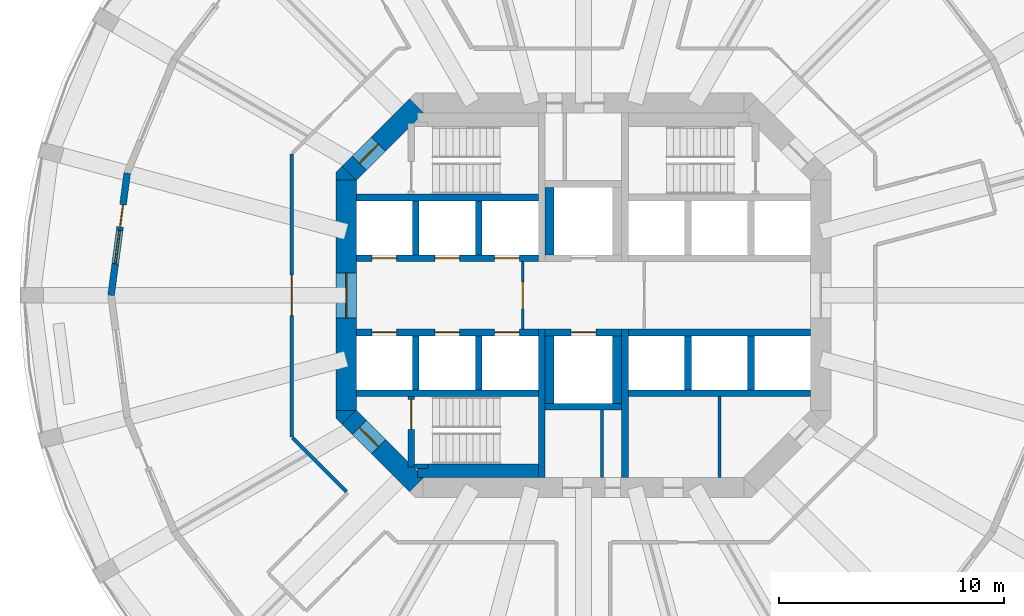
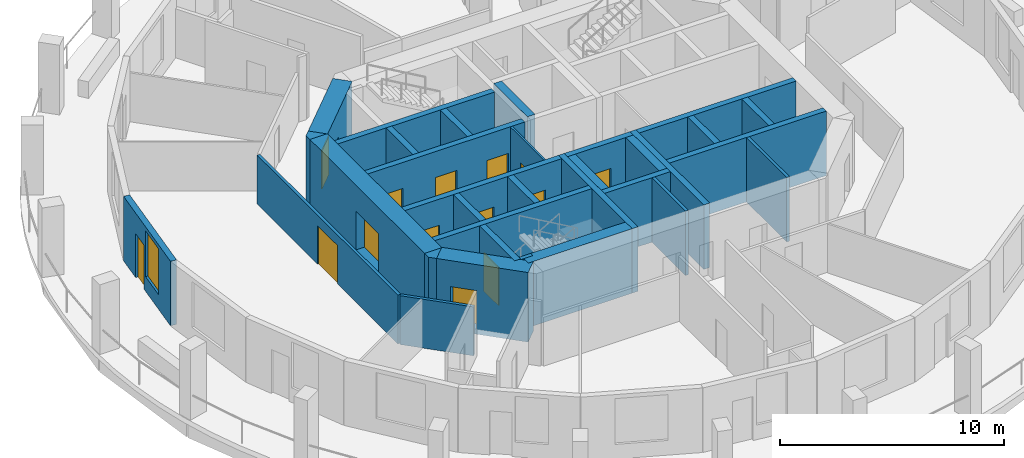
# One storey, part 3 of 8: 33 walls, 14 doors, 1 window, 15 openings.
"""IFC4 building model written with IfcOpenShell, lengths in metres."""

import ifcopenshell
import ifcopenshell.guid

model = None  # the IFC model being written
_history = None  # IfcOwnerHistory: only IFC2X3 demands one
_inside = {}  # id of a spatial element -> (the spatial element, [elements in it])
_under = {}  # id of a project, library or spatial element -> (it, [spatial elements below it])
_declared = {}  # id of a project -> (the project, [libraries it declares])
_typed = {}  # id of a type object -> (the type object, [elements of that type])
_made_of = {}  # id of a material, layer set ... -> (it, [elements and type objects made of it])


def new_model(schema):
    """Start an empty IFC model of exactly this schema.

    Asked for "IFC4X3", IfcOpenShell would pick the latest addendum, in which some entities
    have other attributes; the version numbers below select the first issue.
    IFC2X3 requires an IfcOwnerHistory on every rooted entity: one is made here for all.
    """
    global model, _history
    if schema == "IFC4X3":
        model = ifcopenshell.file(schema_version=(4, 3, 0, 0))
    else:
        model = ifcopenshell.file(schema=schema)
    _inside.clear()
    _under.clear()
    _declared.clear()
    _typed.clear()
    _made_of.clear()
    _history = None
    if model.schema == "IFC2X3":
        org = make("IfcOrganization", Name="unknown")
        user = make(
            "IfcPersonAndOrganization",
            ThePerson=make("IfcPerson", FamilyName="unknown"),
            TheOrganization=org,
        )
        app = make(
            "IfcApplication",
            ApplicationDeveloper=org,
            Version="unknown",
            ApplicationFullName="unknown",
            ApplicationIdentifier="unknown",
        )
        _history = make(
            "IfcOwnerHistory",
            OwningUser=user,
            OwningApplication=app,
            ChangeAction="ADDED",
            CreationDate=0,
        )
    return model


def make(cls, **values):
    """One entity of the class cls with the attributes given. An attribute that is None is left unset."""
    return model.create_entity(
        cls, **{name: value for name, value in values.items() if value is not None}
    )


def rooted(cls, **values):
    """An entity with a GlobalId (a new one), such as an element, a storey or a relation."""
    return make(cls, GlobalId=ifcopenshell.guid.new(), OwnerHistory=_history, **values)


def si_unit(unit_type, name, prefix=None):
    """IfcSIUnit, for example si_unit("LENGTHUNIT", "METRE", prefix="MILLI")."""
    return make("IfcSIUnit", UnitType=unit_type, Prefix=prefix, Name=name)


def assignment(units):
    """IfcUnitAssignment: the units of a project."""
    return None if units is None else make("IfcUnitAssignment", Units=units)


def point(xyz):
    """IfcCartesianPoint."""
    return None if xyz is None else make("IfcCartesianPoint", Coordinates=xyz)


def direction(xyz):
    """IfcDirection."""
    return None if xyz is None else make("IfcDirection", DirectionRatios=xyz)


def frame(location, z_axis=None, x_axis=None):
    """IfcAxis2Placement3D, a coordinate frame: its origin and axes. An axis left out is left unset."""
    return make(
        "IfcAxis2Placement3D",
        Location=point(location),
        Axis=direction(z_axis),
        RefDirection=direction(x_axis),
    )


def frame_2d(location, x_axis=None):
    """IfcAxis2Placement2D, a coordinate frame in the plane: its origin and x axis."""
    return make(
        "IfcAxis2Placement2D", Location=point(location), RefDirection=direction(x_axis)
    )


def origin():
    """The frame at (0, 0, 0) with its axes left unset."""
    return frame((0.0, 0.0, 0.0))


def place(relative_to, where):
    """IfcLocalPlacement: puts the frame where relative to a parent placement (None: the world)."""
    return make(
        "IfcLocalPlacement", PlacementRelTo=relative_to, RelativePlacement=where
    )


def context(
    kind, dimensions, precision=None, world=None, true_north=None, identifier=None
):
    """IfcGeometricRepresentationContext, for example the 3D "Model" context."""
    return make(
        "IfcGeometricRepresentationContext",
        ContextIdentifier=identifier,
        ContextType=kind,
        CoordinateSpaceDimension=dimensions,
        Precision=precision,
        WorldCoordinateSystem=world,
        TrueNorth=true_north,
    )


def subcontext(parent, identifier, kind, view, scale=None):
    """IfcGeometricRepresentationSubContext, for example "Body" below "Model"."""
    return make(
        "IfcGeometricRepresentationSubContext",
        ContextIdentifier=identifier,
        ContextType=kind,
        ParentContext=parent,
        TargetScale=scale,
        TargetView=view,
    )


def project(units=None, contexts=None):
    """IfcProject with its units and contexts."""
    return rooted(
        "IfcProject",
        Name="project",
        RepresentationContexts=contexts,
        UnitsInContext=assignment(units),
    )


def spatial(cls, under=None, at=None, **own):
    """A site, building, storey or space (cls), placed at a placement, below another one or the project."""
    s = rooted(cls, ObjectPlacement=at, **own)
    if under is not None:
        _under.setdefault(under.id(), (under, []))[1].append(s)
    return s


def polyline(points):
    """IfcPolyline through the points."""
    return make("IfcPolyline", Points=[point(p) for p in points])


def profile(cls, at=None, kind="AREA", **sizes):
    """A parametric profile (cls). Its sizes go by their IFC names, for example OverallWidth=200.0."""
    return make(cls, ProfileType=kind, Position=at, **sizes)


def rectangle(**sizes):
    """IfcRectangleProfileDef."""
    return profile("IfcRectangleProfileDef", **sizes)


def outline(outer, holes=None, kind="AREA"):
    """IfcArbitraryClosedProfileDef: a profile drawn as a closed curve; with holes, ...WithVoids."""
    if holes is None:
        return make("IfcArbitraryClosedProfileDef", ProfileType=kind, OuterCurve=outer)
    return make(
        "IfcArbitraryProfileDefWithVoids",
        ProfileType=kind,
        OuterCurve=outer,
        InnerCurves=holes,
    )


def extrude(swept, where, along, depth):
    """IfcExtrudedAreaSolid: the profile swept, set in the frame where, extruded along a direction by depth."""
    return make(
        "IfcExtrudedAreaSolid",
        SweptArea=swept,
        Position=where,
        ExtrudedDirection=direction(along),
        Depth=depth,
    )


def shape(context_of_items, identifier, shape_type, items):
    """IfcShapeRepresentation: the items that make up one representation, for example the "Body"."""
    return make(
        "IfcShapeRepresentation",
        ContextOfItems=context_of_items,
        RepresentationIdentifier=identifier,
        RepresentationType=shape_type,
        Items=items,
    )


def material(Name=None, Category=None):
    """IfcMaterial."""
    return make("IfcMaterial", Name=Name, Category=Category)


def layer(
    of_material, thickness, ventilated=None, Name=None, Category=None, Priority=None
):
    """IfcMaterialLayer: one layer of a wall or slab, of a material (None: an air gap)."""
    return make(
        "IfcMaterialLayer",
        Material=of_material,
        LayerThickness=thickness,
        IsVentilated=ventilated,
        Name=Name,
        Category=Category,
        Priority=Priority,
    )


def layer_set(layers, Name=None):
    """IfcMaterialLayerSet."""
    return make("IfcMaterialLayerSet", MaterialLayers=layers, LayerSetName=Name)


def made_of(thing, what):
    """Note that an element or type object is made of a material, layer set ...; save() writes the relation."""
    if what is not None:
        _made_of.setdefault(what.id(), (what, []))[1].append(thing)
    return thing


def type_object(cls, material=None, **own):
    """A type object (cls), such as IfcWallType, which elements share."""
    return made_of(rooted(cls, **own), material)


def element(
    cls,
    number,
    at=None,
    inside=None,
    cuts=None,
    type_object=None,
    material=None,
    context=None,
    identifier="Body",
    shape_type=None,
    held_by="IfcProductDefinitionShape",
    body=None,
    shapes=None,
    **own,
):
    """One element of the class cls, such as IfcWall. Its Tag is "e" and its number.

    at: its placement. inside: the storey or other place that contains it. cuts: it is an
    opening in that element (IfcRelVoidsElement). A single representation is given by context,
    identifier, shape_type and body (its items); several are given by shapes. held_by: the class
    of the entity that holds the representations. save() writes the other relations.
    """
    e = rooted(cls, Tag="e%d" % number, ObjectPlacement=at, **own)
    if body is not None:
        shapes = [shape(context, identifier, shape_type, body)]
    if shapes is not None:
        e.Representation = make(held_by, Representations=shapes)
    if inside is not None:
        _inside.setdefault(inside.id(), (inside, []))[1].append(e)
    if cuts is not None:
        rooted(
            "IfcRelVoidsElement", RelatingBuildingElement=cuts, RelatedOpeningElement=e
        )
    if type_object is not None:
        _typed.setdefault(type_object.id(), (type_object, []))[1].append(e)
    return made_of(e, material)


def fill(opening, filler):
    """IfcRelFillsElement: the door or window that sits in an opening."""
    return rooted(
        "IfcRelFillsElement",
        RelatingOpeningElement=opening,
        RelatedBuildingElement=filler,
    )


def aggregate(whole, parts):
    """IfcRelAggregates: a whole, such as a stair, and the parts it consists of."""
    return rooted("IfcRelAggregates", RelatingObject=whole, RelatedObjects=parts)


def save(model, path):
    """Write the relations noted so far, then the file.

    IfcRelAggregates (storeys below a building ...), IfcRelContainedInSpatialStructure (elements
    in a storey), IfcRelDefinesByType, IfcRelAssociatesMaterial and IfcRelDeclares: one each for
    every whole, place, type object, material and project.
    """
    for whole, parts in _under.values():
        aggregate(whole, parts)
    for where, things in _inside.values():
        rooted(
            "IfcRelContainedInSpatialStructure",
            RelatedElements=things,
            RelatingStructure=where,
        )
    for kind, things in _typed.values():
        rooted("IfcRelDefinesByType", RelatedObjects=things, RelatingType=kind)
    for what, things in _made_of.values():
        rooted("IfcRelAssociatesMaterial", RelatedObjects=things, RelatingMaterial=what)
    for by, libraries in _declared.values():
        rooted("IfcRelDeclares", RelatingContext=by, RelatedDefinitions=libraries)
    model.write(path)


model = new_model("IFC4")

# Units and contexts
model_context = context("Model", 3, precision=1e-05, world=origin(), true_north=direction((0.0, 1.0)))
body_context = subcontext(model_context, "Body", "Model", "MODEL_VIEW")
ifc_project = project(units=[si_unit("LENGTHUNIT", "METRE"), si_unit("AREAUNIT", "SQUARE_METRE"), si_unit("VOLUMEUNIT", "CUBIC_METRE"), si_unit("PLANEANGLEUNIT", "RADIAN"), si_unit("MASSUNIT", "GRAM", prefix="KILO")], contexts=[model_context])

# Site, building, storey
site_placement = place(None, origin())
site = spatial("IfcSite", under=ifc_project, at=site_placement, CompositionType="ELEMENT")
building_placement = place(site_placement, origin())
building = spatial("IfcBuilding", under=site, at=building_placement, Name="Torre Triforio", CompositionType="ELEMENT")
storey_placement = place(building_placement, frame((0.0, 0.0, 135.199951171875)))
storey = spatial("IfcBuildingStorey", under=building, at=storey_placement, Name="L30", CompositionType="ELEMENT", Elevation=135.199951171875)

# Walls
ifc_material_1 = material(Name="Concrete C60", Category="concrete")
ifc_layer_1 = layer(ifc_material_1, 0.300048828125)
ifc_layer_set_1 = layer_set([ifc_layer_1], Name="Concrete C60")
wall_type_1 = type_object("IfcWallType", Name="Core wall 300 mm C60 EI 120", PredefinedType="SHEAR", material=ifc_layer_set_1)
for number, where, z_axis, x_axis, name in (
    (1, (-1.85009765625, -8.10009765625, 0.0), (0.0, 0.0, 1.0), (0.0, 1.0, 0.0), "Core wall"),
    (2, (1.85009765625, -8.10009765625, 0.0), (0.0, 0.0, 1.0), (0.0, 1.0, 0.0), "Core wall"),
):
    element("IfcWall", number, at=place(storey_placement, frame(where, z_axis=z_axis, x_axis=x_axis)), inside=storey, type_object=wall_type_1, Name=name, PredefinedType="SHEAR", context=body_context, shape_type="SweptSolid", body=[
        extrude(rectangle(XDim=6.60009765625, YDim=0.300048828125, at=frame_2d((3.300048828125, 0.0))), origin(), (0.0, 0.0, 1.0), 3.52001953125),
    ])

# Wall, opening, door
ifc_layer_2 = layer(ifc_material_1, 0.89990234375)
ifc_layer_set_2 = layer_set([ifc_layer_2], Name="Concrete C60")
wall_type_2 = type_object("IfcWallType", Name="Core wall 900 mm C60 EI 120", PredefinedType="SHEAR", material=ifc_layer_set_2)
wall_1_placement = place(storey_placement, frame((-10.550048828125, -5.1298828125, -0.280029296875), z_axis=(0.0, 0.0, 1.0), x_axis=(0.0, 1.0, 0.0)))
wall_1 = element("IfcWall", 3, at=wall_1_placement, inside=storey, type_object=wall_type_2, Name="Core wall", PredefinedType="SHEAR", context=body_context, shape_type="SweptSolid", body=[
    extrude(rectangle(XDim=10.259765625, YDim=0.89990234375, at=frame_2d((5.1298828125, 0.0))), origin(), (0.0, 0.0, 1.0), 3.800048828125),
])
opening_1_placement = place(wall_1_placement, frame((4.1298828125, 0.0, 0.280029296875)))
opening_1 = element("IfcOpeningElement", 4, at=opening_1_placement, cuts=wall_1, Name="Opening W-RING", PredefinedType="OPENING", context=body_context, shape_type="SweptSolid", body=[
    extrude(rectangle(XDim=2.0, YDim=2.10009765625, at=frame_2d((1.0, 1.050048828125))), frame((0.0, 0.4599609375, 0.0), z_axis=(0.0, -1.0, 0.0), x_axis=(1.0, 0.0, 0.0)), (0.0, 0.0, 1.0), 0.919921875),
])
ifc_material_2 = material(Name="Hollow metal fire door leaf")
door_type_1 = type_object("IfcDoorType", Name="Lobby door 2000 x 2100 EI 60", OperationType="DOUBLE_DOOR_SINGLE_SWING", PredefinedType="DOOR", material=ifc_material_2)
door_1_placement = place(opening_1_placement, origin())
door_1 = element("IfcDoor", 5, at=door_1_placement, inside=storey, type_object=door_type_1, Name="Core door W-RING", OperationType="DOUBLE_DOOR_SINGLE_SWING", OverallHeight=2.10009765625, OverallWidth=2.0, PredefinedType="DOOR", context=body_context, shape_type="SweptSolid", body=[
    extrude(rectangle(XDim=2.0, YDim=2.10009765625, at=frame_2d((1.0, 1.050048828125))), frame((0.0, 0.02490234375, 0.0), z_axis=(0.0, -1.0, 0.0), x_axis=(1.0, 0.0, 0.0)), (0.0, 0.0, 1.0), 0.050048828125),
])
fill(opening_1, door_1)

wall_2_placement = place(storey_placement, frame((-10.418212890625, 5.418212890625, -0.280029296875), z_axis=(0.0, 0.0, 1.0), x_axis=(0.707106781187, 0.707106781187, 0.0)))
wall_2 = element("IfcWall", 6, at=wall_2_placement, inside=storey, type_object=wall_type_2, Name="Core wall", PredefinedType="SHEAR", context=body_context, shape_type="SweptSolid", body=[
    extrude(rectangle(XDim=4.24267578125, YDim=0.89990234375, at=frame_2d((2.121337890625, 0.0))), origin(), (0.0, 0.0, 1.0), 3.800048828125),
])
opening_2_placement = place(wall_2_placement, frame((0.64990234375, 0.0, 0.280029296875)))
opening_2 = element("IfcOpeningElement", 7, at=opening_2_placement, cuts=wall_2, Name="Opening ST1-EXIT", PredefinedType="OPENING", context=body_context, shape_type="SweptSolid", body=[
    extrude(rectangle(XDim=1.199951171875, YDim=2.10009765625, at=frame_2d((0.60009765625, 1.050048828125))), frame((0.0, 0.4599609375, 0.0), z_axis=(0.0, -1.0, 0.0), x_axis=(1.0, 0.0, 0.0)), (0.0, 0.0, 1.0), 0.919921875),
])
door_type_2 = type_object("IfcDoorType", Name="Stair lobby door 1200 x 2100 EI 60", OperationType="NOTDEFINED", PredefinedType="DOOR", material=ifc_material_2)
door_2_placement = place(opening_2_placement, origin())
door_2 = element("IfcDoor", 8, at=door_2_placement, inside=storey, type_object=door_type_2, Name="Core door ST1-EXIT", OperationType="SINGLE_SWING_RIGHT", OverallHeight=2.10009765625, OverallWidth=1.199951171875, PredefinedType="DOOR", context=body_context, shape_type="SweptSolid", body=[
    extrude(rectangle(XDim=1.199951171875, YDim=2.10009765625, at=frame_2d((0.60009765625, 1.050048828125))), frame((0.0, 0.02490234375, 0.0), z_axis=(0.0, -1.0, 0.0), x_axis=(1.0, 0.0, 0.0)), (0.0, 0.0, 1.0), 0.050048828125),
])
fill(opening_2, door_2)

wall_3_placement = place(storey_placement, frame((-7.418212890625, -8.418212890625, -0.280029296875), z_axis=(0.0, 0.0, 1.0), x_axis=(-0.707106781187, 0.707106781187, 0.0)))
wall_3 = element("IfcWall", 9, at=wall_3_placement, inside=storey, type_object=wall_type_2, Name="Core wall", PredefinedType="SHEAR", context=body_context, shape_type="SweptSolid", body=[
    extrude(rectangle(XDim=4.24267578125, YDim=0.89990234375, at=frame_2d((2.121337890625, 0.0))), origin(), (0.0, 0.0, 1.0), 3.800048828125),
])
opening_3_placement = place(wall_3_placement, frame((2.392578125, 0.0, 0.280029296875)))
opening_3 = element("IfcOpeningElement", 10, at=opening_3_placement, cuts=wall_3, Name="Opening ST3-EXIT", PredefinedType="OPENING", context=body_context, shape_type="SweptSolid", body=[
    extrude(rectangle(XDim=1.199951171875, YDim=2.10009765625, at=frame_2d((0.60009765625, 1.050048828125))), frame((0.0, 0.4599609375, 0.0), z_axis=(0.0, -1.0, 0.0), x_axis=(1.0, 0.0, 0.0)), (0.0, 0.0, 1.0), 0.919921875),
])
door_3_placement = place(opening_3_placement, origin())
door_3 = element("IfcDoor", 11, at=door_3_placement, inside=storey, type_object=door_type_2, Name="Core door ST3-EXIT", OperationType="SINGLE_SWING_RIGHT", OverallHeight=2.10009765625, OverallWidth=1.199951171875, PredefinedType="DOOR", context=body_context, shape_type="SweptSolid", body=[
    extrude(rectangle(XDim=1.199951171875, YDim=2.10009765625, at=frame_2d((0.60009765625, 1.050048828125))), frame((0.0, 0.02490234375, 0.0), z_axis=(0.0, -1.0, 0.0), x_axis=(1.0, 0.0, 0.0)), (0.0, 0.0, 1.0), 0.050048828125),
])
fill(opening_3, door_3)

# Walls
wall_4_placement = place(storey_placement, frame((0.0, 0.0, -0.280029296875)))
element("IfcWall", 12, at=wall_4_placement, inside=storey, type_object=wall_type_2, Name="Core wall", PredefinedType="SHEAR", context=body_context, shape_type="SweptSolid", body=[
    extrude(outline(polyline([(-11.0, -5.472900390625), (-11.0, -5.1298828125), (-10.1298828125, -5.1298828125), (-10.736328125, -5.736328125), (-11.0, -5.472900390625)])), origin(), (0.0, 0.0, 1.0), 3.800048828125),
])
wall_5_placement = place(storey_placement, frame((0.0, 0.0, -0.280029296875)))
element("IfcWall", 13, at=wall_5_placement, inside=storey, type_object=wall_type_2, Name="Core wall", PredefinedType="SHEAR", context=body_context, shape_type="SweptSolid", body=[
    extrude(outline(polyline([(-10.736328125, 5.736328125), (-10.1298828125, 5.1298828125), (-11.0, 5.1298828125), (-11.0, 5.472900390625), (-10.736328125, 5.736328125)])), origin(), (0.0, 0.0, 1.0), 3.800048828125),
])
ifc_material_3 = material(Name="Plasterboard on metal studs")
ifc_layer_3 = layer(ifc_material_3, 0.14990234375)
ifc_layer_set_3 = layer_set([ifc_layer_3], Name="Plasterboard on metal studs")
wall_type_3 = type_object("IfcWallType", Name="Corridor and tenancy wall 150 mm EI 60", PredefinedType="PARTITIONING", material=ifc_layer_set_3)
wall_6_placement = place(storey_placement, frame((-10.534423828125, -8.7314453125, 0.0), z_axis=(0.0, 0.0, 1.0), x_axis=(-0.707106781187, 0.707106781187, 0.0)))
element("IfcWall", 14, at=wall_6_placement, inside=storey, type_object=wall_type_3, Name="Partition 3", PredefinedType="PARTITIONING", context=body_context, shape_type="SweptSolid", body=[
    extrude(rectangle(XDim=3.399169921875, YDim=0.14990234375, at=frame_2d((1.69970703125, 0.0))), origin(), (0.0, 0.0, 1.0), 2.670166015625),
])

# Wall, opening, door
wall_7_placement = place(storey_placement, frame((-12.97509765625, -6.291015625, 0.0), z_axis=(0.0, 0.0, 1.0), x_axis=(0.0, 1.0, 0.0)))
wall_7 = element("IfcWall", 15, at=wall_7_placement, inside=storey, type_object=wall_type_3, Name="Partition 4", PredefinedType="PARTITIONING", context=body_context, shape_type="SweptSolid", body=[
    extrude(rectangle(XDim=12.58203125, YDim=0.14990234375, at=frame_2d((6.291015625, 0.0))), origin(), (0.0, 0.0, 1.0), 2.670166015625),
])
opening_4_placement = place(wall_7_placement, frame((5.390869140625, 0.0, 0.0)))
opening_4 = element("IfcOpeningElement", 16, at=opening_4_placement, cuts=wall_7, Name="Opening D2-01", PredefinedType="OPENING", context=body_context, shape_type="SweptSolid", body=[
    extrude(rectangle(XDim=1.800048828125, YDim=2.10009765625, at=frame_2d((0.89990234375, 1.050048828125))), frame((0.0, 0.0849609375, 0.0), z_axis=(0.0, -1.0, 0.0), x_axis=(1.0, 0.0, 0.0)), (0.0, 0.0, 1.0), 0.169921875),
])
ifc_material_4 = material(Name="Timber", Category="wood")
door_type_3 = type_object("IfcDoorType", Name="Door 1800 x 2100 double leaf EI 30", OperationType="DOUBLE_DOOR_SINGLE_SWING", PredefinedType="DOOR", material=ifc_material_4)
door_4_placement = place(opening_4_placement, origin())
door_4 = element("IfcDoor", 17, at=door_4_placement, inside=storey, type_object=door_type_3, Name="Door D2-01", OperationType="DOUBLE_DOOR_SINGLE_SWING", OverallHeight=2.10009765625, OverallWidth=1.800048828125, PredefinedType="DOOR", context=body_context, shape_type="SweptSolid", body=[
    extrude(rectangle(XDim=1.800048828125, YDim=2.10009765625, at=frame_2d((0.89990234375, 1.050048828125))), frame((0.0, 0.02490234375, 0.0), z_axis=(0.0, -1.0, 0.0), x_axis=(1.0, 0.0, 0.0)), (0.0, 0.0, 1.0), 0.050048828125),
])
fill(opening_4, door_4)

ifc_material_5 = material(Name="Block and board partition")
ifc_layer_4 = layer(ifc_material_5, 0.10009765625)
ifc_layer_set_4 = layer_set([ifc_layer_4], Name="Block and board partition")
wall_type_4 = type_object("IfcWallType", Name="Partition 100 mm EI 120", PredefinedType="PARTITIONING", material=ifc_layer_set_4)
wall_8_placement = place(storey_placement, frame((-2.699951171875, -1.5, 0.0), z_axis=(0.0, 0.0, 1.0), x_axis=(0.0, 1.0, 0.0)))
wall_8 = element("IfcWall", 18, at=wall_8_placement, inside=storey, type_object=wall_type_4, Name="Partition", PredefinedType="PARTITIONING", context=body_context, shape_type="SweptSolid", body=[
    extrude(rectangle(XDim=3.0, YDim=0.10009765625, at=frame_2d((1.5, 0.0))), origin(), (0.0, 0.0, 1.0), 3.52001953125),
])
opening_5_placement = place(wall_8_placement, frame((0.89990234375, 0.0, 0.0)))
opening_5 = element("IfcOpeningElement", 19, at=opening_5_placement, cuts=wall_8, Name="Opening FF-W", PredefinedType="OPENING", context=body_context, shape_type="SweptSolid", body=[
    extrude(rectangle(XDim=1.199951171875, YDim=2.10009765625, at=frame_2d((0.60009765625, 1.050048828125))), frame((0.0, 0.06005859375, 0.0), z_axis=(0.0, -1.0, 0.0), x_axis=(1.0, 0.0, 0.0)), (0.0, 0.0, 1.0), 0.1201171875),
])
door_type_4 = type_object("IfcDoorType", Name="Fire-fighting lobby door 1200 x 2100 EI 60", OperationType="NOTDEFINED", PredefinedType="DOOR", material=ifc_material_2)
door_5_placement = place(opening_5_placement, origin())
door_5 = element("IfcDoor", 20, at=door_5_placement, inside=storey, type_object=door_type_4, Name="Core door FF-W", OperationType="SINGLE_SWING_RIGHT", OverallHeight=2.10009765625, OverallWidth=1.199951171875, PredefinedType="DOOR", context=body_context, shape_type="SweptSolid", body=[
    extrude(rectangle(XDim=1.199951171875, YDim=2.10009765625, at=frame_2d((0.60009765625, 1.050048828125))), frame((0.0, 0.02490234375, 0.0), z_axis=(0.0, -1.0, 0.0), x_axis=(1.0, 0.0, 0.0)), (0.0, 0.0, 1.0), 0.050048828125),
])
fill(opening_5, door_5)

# Walls
ifc_layer_5 = layer(ifc_material_5, 0.14990234375)
ifc_layer_set_5 = layer_set([ifc_layer_5], Name="Block and board partition")
wall_type_5 = type_object("IfcWallType", Name="Partition 150 mm", PredefinedType="PARTITIONING", material=ifc_layer_set_5)
wall_9_placement = place(storey_placement, frame((6.050048828125, -8.10009765625, 0.0), z_axis=(0.0, 0.0, 1.0), x_axis=(0.0, 1.0, 0.0)))
element("IfcWall", 21, at=wall_9_placement, inside=storey, type_object=wall_type_5, Name="Partition", PredefinedType="PARTITIONING", context=body_context, shape_type="SweptSolid", body=[
    extrude(rectangle(XDim=3.60009765625, YDim=0.14990234375, at=frame_2d((1.800048828125, 0.0))), origin(), (0.0, 0.0, 1.0), 3.52001953125),
])
ifc_layer_6 = layer(ifc_material_5, 0.14990234375)
ifc_layer_set_6 = layer_set([ifc_layer_6], Name="Block and board partition")
wall_type_6 = type_object("IfcWallType", Name="Partition 150 mm EI 120", PredefinedType="PARTITIONING", material=ifc_layer_set_6)
wall_10_placement = place(storey_placement, frame((0.824951171875, -8.10009765625, 0.0), z_axis=(0.0, 0.0, 1.0), x_axis=(0.0, 1.0, 0.0)))
element("IfcWall", 22, at=wall_10_placement, inside=storey, type_object=wall_type_6, Name="Partition", PredefinedType="PARTITIONING", context=body_context, shape_type="SweptSolid", body=[
    extrude(rectangle(XDim=3.0, YDim=0.14990234375, at=frame_2d((1.5, 0.0))), origin(), (0.0, 0.0, 1.0), 3.52001953125),
])
ifc_layer_7 = layer(ifc_material_1, 0.300048828125)
ifc_layer_set_7 = layer_set([ifc_layer_7], Name="Concrete C60")
wall_type_7 = type_object("IfcWallType", Name="Shaft wall 300 mm C60 EI 120", PredefinedType="SOLIDWALL", material=ifc_layer_set_7)
for number, where, z_axis, x_axis, name in (
    (23, (-10.10009765625, 4.35009765625, 0.0), (0.0, 0.0, 1.0), (1.0, 0.0, 0.0), "Shaft wall"),
    (24, (-10.10009765625, -4.35009765625, 0.0), (0.0, 0.0, 1.0), (1.0, 0.0, 0.0), "Shaft wall"),
    (25, (2.0, -4.35009765625, 0.0), (0.0, 0.0, 1.0), (1.0, 0.0, 0.0), "Shaft wall"),
):
    element("IfcWall", number, at=place(storey_placement, frame(where, z_axis=z_axis, x_axis=x_axis)), inside=storey, type_object=wall_type_7, Name=name, PredefinedType="SOLIDWALL", context=body_context, shape_type="SweptSolid", body=[
        extrude(rectangle(XDim=8.10009765625, YDim=0.300048828125, at=frame_2d((4.050048828125, 0.0))), origin(), (0.0, 0.0, 1.0), 3.52001953125),
    ])

# Wall, openings, doors
wall_11_placement = place(storey_placement, frame((-10.10009765625, 1.64990234375, 0.0), z_axis=(0.0, 0.0, 1.0), x_axis=(1.0, 0.0, 0.0)))
wall_11 = element("IfcWall", 26, at=wall_11_placement, inside=storey, type_object=wall_type_7, Name="Shaft wall", PredefinedType="SOLIDWALL", context=body_context, shape_type="SweptSolid", body=[
    extrude(rectangle(XDim=8.10009765625, YDim=0.300048828125, at=frame_2d((4.050048828125, 0.0))), origin(), (0.0, 0.0, 1.0), 3.52001953125),
])
opening_6_placement = place(wall_11_placement, frame((0.699951171875, 0.0, 0.0)))
opening_6 = element("IfcOpeningElement", 27, at=opening_6_placement, cuts=wall_11, Name="Opening LD", PredefinedType="OPENING", context=body_context, shape_type="SweptSolid", body=[
    extrude(rectangle(XDim=1.10009765625, YDim=2.10009765625, at=frame_2d((0.550048828125, 1.050048828125))), frame((0.0, 0.159912109375, 0.0), z_axis=(0.0, -1.0, 0.0), x_axis=(1.0, 0.0, 0.0)), (0.0, 0.0, 1.0), 0.320068359375),
])
opening_7_placement = place(wall_11_placement, frame((3.5, 0.0, 0.0)))
opening_7 = element("IfcOpeningElement", 28, at=opening_7_placement, cuts=wall_11, Name="Opening LD", PredefinedType="OPENING", context=body_context, shape_type="SweptSolid", body=[
    extrude(rectangle(XDim=1.10009765625, YDim=2.10009765625, at=frame_2d((0.550048828125, 1.050048828125))), frame((0.0, 0.159912109375, 0.0), z_axis=(0.0, -1.0, 0.0), x_axis=(1.0, 0.0, 0.0)), (0.0, 0.0, 1.0), 0.320068359375),
])
opening_8_placement = place(wall_11_placement, frame((6.14990234375, 0.0, 0.0)))
opening_8 = element("IfcOpeningElement", 29, at=opening_8_placement, cuts=wall_11, Name="Opening LD", PredefinedType="OPENING", context=body_context, shape_type="SweptSolid", body=[
    extrude(rectangle(XDim=1.10009765625, YDim=2.10009765625, at=frame_2d((0.550048828125, 1.050048828125))), frame((0.0, 0.159912109375, 0.0), z_axis=(0.0, -1.0, 0.0), x_axis=(1.0, 0.0, 0.0)), (0.0, 0.0, 1.0), 0.320068359375),
])
door_type_5 = type_object("IfcDoorType", Name="Landing door 1100 x 2100 EI 60", OperationType="DOUBLE_DOOR_SLIDING", PredefinedType="DOOR", material=ifc_material_2)
door_6_placement = place(opening_6_placement, origin())
door_6 = element("IfcDoor", 30, at=door_6_placement, inside=storey, type_object=door_type_5, Name="Landing door LR1", OperationType="DOUBLE_DOOR_SLIDING", OverallHeight=2.10009765625, OverallWidth=1.10009765625, PredefinedType="DOOR", context=body_context, shape_type="SweptSolid", body=[
    extrude(rectangle(XDim=1.10009765625, YDim=2.10009765625, at=frame_2d((0.550048828125, 1.050048828125))), frame((0.0, 0.02490234375, 0.0), z_axis=(0.0, -1.0, 0.0), x_axis=(1.0, 0.0, 0.0)), (0.0, 0.0, 1.0), 0.050048828125),
])
fill(opening_6, door_6)
door_7_placement = place(opening_7_placement, origin())
door_7 = element("IfcDoor", 31, at=door_7_placement, inside=storey, type_object=door_type_5, Name="Landing door LR2", OperationType="DOUBLE_DOOR_SLIDING", OverallHeight=2.10009765625, OverallWidth=1.10009765625, PredefinedType="DOOR", context=body_context, shape_type="SweptSolid", body=[
    extrude(rectangle(XDim=1.10009765625, YDim=2.10009765625, at=frame_2d((0.550048828125, 1.050048828125))), frame((0.0, 0.02490234375, 0.0), z_axis=(0.0, -1.0, 0.0), x_axis=(1.0, 0.0, 0.0)), (0.0, 0.0, 1.0), 0.050048828125),
])
fill(opening_7, door_7)
door_8_placement = place(opening_8_placement, origin())
door_8 = element("IfcDoor", 32, at=door_8_placement, inside=storey, type_object=door_type_5, Name="Landing door LR3", OperationType="DOUBLE_DOOR_SLIDING", OverallHeight=2.10009765625, OverallWidth=1.10009765625, PredefinedType="DOOR", context=body_context, shape_type="SweptSolid", body=[
    extrude(rectangle(XDim=1.10009765625, YDim=2.10009765625, at=frame_2d((0.550048828125, 1.050048828125))), frame((0.0, 0.02490234375, 0.0), z_axis=(0.0, -1.0, 0.0), x_axis=(1.0, 0.0, 0.0)), (0.0, 0.0, 1.0), 0.050048828125),
])
fill(opening_8, door_8)

wall_12_placement = place(storey_placement, frame((-10.10009765625, -1.64990234375, 0.0), z_axis=(0.0, 0.0, 1.0), x_axis=(1.0, 0.0, 0.0)))
wall_12 = element("IfcWall", 33, at=wall_12_placement, inside=storey, type_object=wall_type_7, Name="Shaft wall", PredefinedType="SOLIDWALL", context=body_context, shape_type="SweptSolid", body=[
    extrude(rectangle(XDim=8.10009765625, YDim=0.300048828125, at=frame_2d((4.050048828125, 0.0))), origin(), (0.0, 0.0, 1.0), 3.52001953125),
])
opening_9_placement = place(wall_12_placement, frame((0.699951171875, 0.0, 0.0)))
opening_9 = element("IfcOpeningElement", 34, at=opening_9_placement, cuts=wall_12, Name="Opening LD", PredefinedType="OPENING", context=body_context, shape_type="SweptSolid", body=[
    extrude(rectangle(XDim=1.10009765625, YDim=2.10009765625, at=frame_2d((0.550048828125, 1.050048828125))), frame((0.0, 0.159912109375, 0.0), z_axis=(0.0, -1.0, 0.0), x_axis=(1.0, 0.0, 0.0)), (0.0, 0.0, 1.0), 0.320068359375),
])
opening_10_placement = place(wall_12_placement, frame((3.5, 0.0, 0.0)))
opening_10 = element("IfcOpeningElement", 35, at=opening_10_placement, cuts=wall_12, Name="Opening LD", PredefinedType="OPENING", context=body_context, shape_type="SweptSolid", body=[
    extrude(rectangle(XDim=1.10009765625, YDim=2.10009765625, at=frame_2d((0.550048828125, 1.050048828125))), frame((0.0, 0.159912109375, 0.0), z_axis=(0.0, -1.0, 0.0), x_axis=(1.0, 0.0, 0.0)), (0.0, 0.0, 1.0), 0.320068359375),
])
opening_11_placement = place(wall_12_placement, frame((6.14990234375, 0.0, 0.0)))
opening_11 = element("IfcOpeningElement", 36, at=opening_11_placement, cuts=wall_12, Name="Opening LD", PredefinedType="OPENING", context=body_context, shape_type="SweptSolid", body=[
    extrude(rectangle(XDim=1.10009765625, YDim=2.10009765625, at=frame_2d((0.550048828125, 1.050048828125))), frame((0.0, 0.159912109375, 0.0), z_axis=(0.0, -1.0, 0.0), x_axis=(1.0, 0.0, 0.0)), (0.0, 0.0, 1.0), 0.320068359375),
])
door_9_placement = place(opening_9_placement, origin())
door_9 = element("IfcDoor", 37, at=door_9_placement, inside=storey, type_object=door_type_5, Name="Landing door LR4", OperationType="DOUBLE_DOOR_SLIDING", OverallHeight=2.10009765625, OverallWidth=1.10009765625, PredefinedType="DOOR", context=body_context, shape_type="SweptSolid", body=[
    extrude(rectangle(XDim=1.10009765625, YDim=2.10009765625, at=frame_2d((0.550048828125, 1.050048828125))), frame((0.0, 0.02490234375, 0.0), z_axis=(0.0, -1.0, 0.0), x_axis=(1.0, 0.0, 0.0)), (0.0, 0.0, 1.0), 0.050048828125),
])
fill(opening_9, door_9)
door_10_placement = place(opening_10_placement, origin())
door_10 = element("IfcDoor", 38, at=door_10_placement, inside=storey, type_object=door_type_5, Name="Landing door LR5", OperationType="DOUBLE_DOOR_SLIDING", OverallHeight=2.10009765625, OverallWidth=1.10009765625, PredefinedType="DOOR", context=body_context, shape_type="SweptSolid", body=[
    extrude(rectangle(XDim=1.10009765625, YDim=2.10009765625, at=frame_2d((0.550048828125, 1.050048828125))), frame((0.0, 0.02490234375, 0.0), z_axis=(0.0, -1.0, 0.0), x_axis=(1.0, 0.0, 0.0)), (0.0, 0.0, 1.0), 0.050048828125),
])
fill(opening_10, door_10)
door_11_placement = place(opening_11_placement, origin())
door_11 = element("IfcDoor", 39, at=door_11_placement, inside=storey, type_object=door_type_5, Name="Landing door LR6", OperationType="DOUBLE_DOOR_SLIDING", OverallHeight=2.10009765625, OverallWidth=1.10009765625, PredefinedType="DOOR", context=body_context, shape_type="SweptSolid", body=[
    extrude(rectangle(XDim=1.10009765625, YDim=2.10009765625, at=frame_2d((0.550048828125, 1.050048828125))), frame((0.0, 0.02490234375, 0.0), z_axis=(0.0, -1.0, 0.0), x_axis=(1.0, 0.0, 0.0)), (0.0, 0.0, 1.0), 0.050048828125),
])
fill(opening_11, door_11)

# Walls
wall_13_placement = place(storey_placement, frame((2.0, -1.64990234375, 0.0), z_axis=(0.0, 0.0, 1.0), x_axis=(1.0, 0.0, 0.0)))
element("IfcWall", 40, at=wall_13_placement, inside=storey, type_object=wall_type_7, Name="Shaft wall", PredefinedType="SOLIDWALL", context=body_context, shape_type="SweptSolid", body=[
    extrude(rectangle(XDim=8.10009765625, YDim=0.300048828125, at=frame_2d((4.050048828125, 0.0))), origin(), (0.0, 0.0, 1.0), 3.52001953125),
])
for number, where, z_axis, x_axis, name in (
    (41, (-7.449951171875, 1.800048828125, 0.0), (0.0, 0.0, 1.0), (0.0, 1.0, 0.0), "Shaft wall"),
    (42, (-7.449951171875, -4.199951171875, 0.0), (0.0, 0.0, 1.0), (0.0, 1.0, 0.0), "Shaft wall"),
    (43, (-4.64990234375, 1.800048828125, 0.0), (0.0, 0.0, 1.0), (0.0, 1.0, 0.0), "Shaft wall"),
    (44, (-4.64990234375, -4.199951171875, 0.0), (0.0, 0.0, 1.0), (0.0, 1.0, 0.0), "Shaft wall"),
    (45, (4.64990234375, -4.199951171875, 0.0), (0.0, 0.0, 1.0), (0.0, 1.0, 0.0), "Shaft wall"),
    (46, (7.449951171875, -4.199951171875, 0.0), (0.0, 0.0, 1.0), (0.0, 1.0, 0.0), "Shaft wall"),
):
    element("IfcWall", number, at=place(storey_placement, frame(where, z_axis=z_axis, x_axis=x_axis)), inside=storey, type_object=wall_type_7, Name=name, PredefinedType="SOLIDWALL", context=body_context, shape_type="SweptSolid", body=[
        extrude(rectangle(XDim=2.39990234375, YDim=0.300048828125, at=frame_2d((1.199951171875, 0.0))), origin(), (0.0, 0.0, 1.0), 3.52001953125),
    ])

# Wall, opening, door
wall_14_placement = place(storey_placement, frame((-1.699951171875, -1.64990234375, 0.0), z_axis=(0.0, 0.0, 1.0), x_axis=(1.0, 0.0, 0.0)))
wall_14 = element("IfcWall", 47, at=wall_14_placement, inside=storey, type_object=wall_type_7, Name="Shaft wall", PredefinedType="SOLIDWALL", context=body_context, shape_type="SweptSolid", body=[
    extrude(rectangle(XDim=3.39990234375, YDim=0.300048828125, at=frame_2d((1.699951171875, 0.0))), origin(), (0.0, 0.0, 1.0), 3.52001953125),
])
opening_12_placement = place(wall_14_placement, frame((1.14990234375, 0.0, 0.0)))
opening_12 = element("IfcOpeningElement", 48, at=opening_12_placement, cuts=wall_14, Name="Opening LD", PredefinedType="OPENING", context=body_context, shape_type="SweptSolid", body=[
    extrude(rectangle(XDim=1.10009765625, YDim=2.10009765625, at=frame_2d((0.550048828125, 1.050048828125))), frame((0.0, 0.159912109375, 0.0), z_axis=(0.0, -1.0, 0.0), x_axis=(1.0, 0.0, 0.0)), (0.0, 0.0, 1.0), 0.320068359375),
])
door_12_placement = place(opening_12_placement, origin())
door_12 = element("IfcDoor", 49, at=door_12_placement, inside=storey, type_object=door_type_5, Name="Landing door FFL2", OperationType="DOUBLE_DOOR_SLIDING", OverallHeight=2.10009765625, OverallWidth=1.10009765625, PredefinedType="DOOR", context=body_context, shape_type="SweptSolid", body=[
    extrude(rectangle(XDim=1.10009765625, YDim=2.10009765625, at=frame_2d((0.550048828125, 1.050048828125))), frame((0.0, 0.02490234375, 0.0), z_axis=(0.0, -1.0, 0.0), x_axis=(1.0, 0.0, 0.0)), (0.0, 0.0, 1.0), 0.050048828125),
])
fill(opening_12, door_12)

# Walls
wall_15_placement = place(storey_placement, frame((-1.699951171875, -4.949951171875, 0.0), z_axis=(0.0, 0.0, 1.0), x_axis=(1.0, 0.0, 0.0)))
element("IfcWall", 50, at=wall_15_placement, inside=storey, type_object=wall_type_7, Name="Shaft wall", PredefinedType="SOLIDWALL", context=body_context, shape_type="SweptSolid", body=[
    extrude(rectangle(XDim=3.39990234375, YDim=0.300048828125, at=frame_2d((1.699951171875, 0.0))), origin(), (0.0, 0.0, 1.0), 3.52001953125),
])
ifc_layer_8 = layer(ifc_material_1, 0.39990234375)
ifc_layer_set_8 = layer_set([ifc_layer_8], Name="Concrete C60")
wall_type_8 = type_object("IfcWallType", Name="Shaft wall 400 mm C60 EI 120", PredefinedType="SOLIDWALL", material=ifc_layer_set_8)
for number, where, z_axis, x_axis, name in (
    (51, (-1.5, 1.800048828125, 0.0), (0.0, 0.0, 1.0), (0.0, 1.0, 0.0), "Shaft wall"),
    (52, (-1.5, -4.800048828125, 0.0), (0.0, 0.0, 1.0), (0.0, 1.0, 0.0), "Shaft wall"),
    (53, (1.5, -4.800048828125, 0.0), (0.0, 0.0, 1.0), (0.0, 1.0, 0.0), "Shaft wall"),
):
    element("IfcWall", number, at=place(storey_placement, frame(where, z_axis=z_axis, x_axis=x_axis)), inside=storey, type_object=wall_type_8, Name=name, PredefinedType="SOLIDWALL", context=body_context, shape_type="SweptSolid", body=[
        extrude(rectangle(XDim=3.0, YDim=0.39990234375, at=frame_2d((1.5, 0.0))), origin(), (0.0, 0.0, 1.0), 3.52001953125),
    ])
ifc_layer_9 = layer(ifc_material_1, 0.199951171875)
ifc_layer_set_9 = layer_set([ifc_layer_9], Name="Concrete C60")
wall_type_9 = type_object("IfcWallType", Name="Stair wall 200 mm C60 EI 120", PredefinedType="SHEAR", material=ifc_layer_set_9)
wall_16_placement = place(storey_placement, frame((-7.5, -7.60009765625, 0.0), z_axis=(0.0, 0.0, 1.0), x_axis=(1.0, 0.0, 0.0)))
element("IfcWall", 54, at=wall_16_placement, inside=storey, type_object=wall_type_9, Name="Stair wall", PredefinedType="SHEAR", context=body_context, shape_type="SweptSolid", body=[
    extrude(rectangle(XDim=0.60009765625, YDim=0.199951171875, at=frame_2d((0.300048828125, 0.0))), origin(), (0.0, 0.0, 1.0), 3.52001953125),
])

# Wall, opening, door
ifc_layer_10 = layer(ifc_material_1, 0.300048828125)
ifc_layer_set_10 = layer_set([ifc_layer_10], Name="Concrete C60")
wall_type_10 = type_object("IfcWallType", Name="Stair wall 300 mm C60 EI 120", PredefinedType="SHEAR", material=ifc_layer_set_10)
wall_17_placement = place(storey_placement, frame((-7.64990234375, -7.639892578125, 0.0), z_axis=(0.0, 0.0, 1.0), x_axis=(0.0, 1.0, 0.0)))
wall_17 = element("IfcWall", 55, at=wall_17_placement, inside=storey, type_object=wall_type_10, Name="Stair wall", PredefinedType="SHEAR", context=body_context, shape_type="SweptSolid", body=[
    extrude(rectangle(XDim=3.139892578125, YDim=0.300048828125, at=frame_2d((1.56982421875, 0.0))), origin(), (0.0, 0.0, 1.0), 3.52001953125),
])
opening_13_placement = place(wall_17_placement, frame((1.679931640625, 0.0, 0.0)))
opening_13 = element("IfcOpeningElement", 56, at=opening_13_placement, cuts=wall_17, Name="Opening ST3-STA", PredefinedType="OPENING", context=body_context, shape_type="SweptSolid", body=[
    extrude(rectangle(XDim=1.320068359375, YDim=2.10009765625, at=frame_2d((0.66015625, 1.050048828125))), frame((0.0, 0.159912109375, 0.0), z_axis=(0.0, -1.0, 0.0), x_axis=(1.0, 0.0, 0.0)), (0.0, 0.0, 1.0), 0.320068359375),
])
door_type_6 = type_object("IfcDoorType", Name="Stair door 1320 x 2100 EI 90", OperationType="DOUBLE_DOOR_SINGLE_SWING", PredefinedType="DOOR", material=ifc_material_2)
door_13_placement = place(opening_13_placement, origin())
door_13 = element("IfcDoor", 57, at=door_13_placement, inside=storey, type_object=door_type_6, Name="Core door ST3-ST", OperationType="DOUBLE_DOOR_SINGLE_SWING", OverallHeight=2.10009765625, OverallWidth=1.320068359375, PredefinedType="DOOR", context=body_context, shape_type="SweptSolid", body=[
    extrude(rectangle(XDim=1.320068359375, YDim=2.10009765625, at=frame_2d((0.66015625, 1.050048828125))), frame((0.0, 0.02490234375, 0.0), z_axis=(0.0, -1.0, 0.0), x_axis=(1.0, 0.0, 0.0)), (0.0, 0.0, 1.0), 0.050048828125),
])
fill(opening_13, door_13)

# Wall
ifc_layer_11 = layer(ifc_material_1, 0.60009765625)
ifc_layer_set_11 = layer_set([ifc_layer_11], Name="Concrete C60")
wall_type_11 = type_object("IfcWallType", Name="Stair wall 600 mm C60 EI 120", PredefinedType="SHEAR", material=ifc_layer_set_11)
wall_18_placement = place(storey_placement, frame((-7.3701171875, -7.800048828125, 0.0), z_axis=(0.0, 0.0, 1.0), x_axis=(1.0, 0.0, 0.0)))
element("IfcWall", 58, at=wall_18_placement, inside=storey, type_object=wall_type_11, Name="Stair wall", PredefinedType="SHEAR", context=body_context, shape_type="SweptSolid", body=[
    extrude(rectangle(XDim=5.3701171875, YDim=0.60009765625, at=frame_2d((2.68505859375, 0.0))), origin(), (0.0, 0.0, 1.0), 3.52001953125),
])

# Wall, openings, door, window
ifc_material_6 = material(Name="Limestone cladding", Category="masonry")
ifc_layer_12 = layer(ifc_material_6, 0.10009765625)
ifc_material_7 = material(Name="Concrete C40", Category="concrete")
ifc_layer_13 = layer(ifc_material_7, 0.199951171875)
ifc_layer_set_12 = layer_set([ifc_layer_12, ifc_layer_13], Name="Limestone cladding / Concrete C40")
wall_type_12 = type_object("IfcWallType", Name="Stone-faced composite wall 300", PredefinedType="STANDARD", material=ifc_layer_set_12)
wall_19_placement = place(storey_placement, frame((-20.284423828125, 5.435302734375, 0.0), z_axis=(0.0, 0.0, 1.0), x_axis=(-0.130527087244, -0.991444743541, 0.0)))
wall_19 = element("IfcWall", 59, at=wall_19_placement, inside=storey, type_object=wall_type_12, Name="External wall L30 bay 12", PredefinedType="STANDARD", context=body_context, shape_type="SweptSolid", body=[
    extrude(rectangle(XDim=5.482177734375, YDim=0.300048828125, at=frame_2d((2.7412109375, 0.0))), origin(), (0.0, 0.0, 1.0), 3.52001953125),
])
opening_14_placement = place(wall_19_placement, frame((1.416015625, 0.0, 0.0)))
opening_14 = element("IfcOpeningElement", 60, at=opening_14_placement, cuts=wall_19, Name="Opening D2-D12", PredefinedType="OPENING", context=body_context, shape_type="SweptSolid", body=[
    extrude(rectangle(XDim=1.0, YDim=2.39990234375, at=frame_2d((0.5, 1.199951171875))), frame((0.0, 0.159912109375, 0.0), z_axis=(0.0, -1.0, 0.0), x_axis=(1.0, 0.0, 0.0)), (0.0, 0.0, 1.0), 0.320068359375),
])
opening_15_placement = place(wall_19_placement, frame((2.566162109375, 0.0, 0.800048828125)))
opening_15 = element("IfcOpeningElement", 61, at=opening_15_placement, cuts=wall_19, Name="Opening D2-W12A", PredefinedType="OPENING", context=body_context, shape_type="SweptSolid", body=[
    extrude(rectangle(XDim=1.5, YDim=2.5, at=frame_2d((0.75, 1.25))), frame((0.0, 0.159912109375, 0.0), z_axis=(0.0, -1.0, 0.0), x_axis=(1.0, 0.0, 0.0)), (0.0, 0.0, 1.0), 0.320068359375),
])
ifc_material_8 = material(Name="Aluminium frame with clear double glazing", Category="aluminium")
door_type_7 = type_object("IfcDoorType", Name="Loggia door 1000 x 2400", OperationType="NOTDEFINED", PredefinedType="DOOR", material=ifc_material_8)
door_14_placement = place(opening_14_placement, origin())
door_14 = element("IfcDoor", 62, at=door_14_placement, inside=storey, type_object=door_type_7, Name="Loggia door L30 bay 12", OperationType="SINGLE_SWING_LEFT", OverallHeight=2.39990234375, OverallWidth=1.0, PredefinedType="DOOR", context=body_context, shape_type="SweptSolid", body=[
    extrude(rectangle(XDim=1.0, YDim=2.39990234375, at=frame_2d((0.5, 1.199951171875))), frame((0.0, 0.02490234375, 0.0), z_axis=(0.0, -1.0, 0.0), x_axis=(1.0, 0.0, 0.0)), (0.0, 0.0, 1.0), 0.050048828125),
])
fill(opening_14, door_14)
window_type = type_object("IfcWindowType", Name="Side window 1500 x 2500", PartitioningType="SINGLE_PANEL", PredefinedType="WINDOW", material=ifc_material_8)
window_placement = place(opening_15_placement, origin())
window = element("IfcWindow", 63, at=window_placement, inside=storey, type_object=window_type, Name="Side window EWN13 L30 bay 12", OverallHeight=2.5, OverallWidth=1.5, PartitioningType="SINGLE_PANEL", PredefinedType="WINDOW", context=body_context, shape_type="SweptSolid", body=[
    extrude(rectangle(XDim=1.5, YDim=2.5, at=frame_2d((0.75, 1.25))), frame((0.0, 0.030029296875, 0.0), z_axis=(0.0, -1.0, 0.0), x_axis=(1.0, 0.0, 0.0)), (0.0, 0.0, 1.0), 0.06005859375),
])
fill(opening_15, window)

save(model, "model.ifc")
